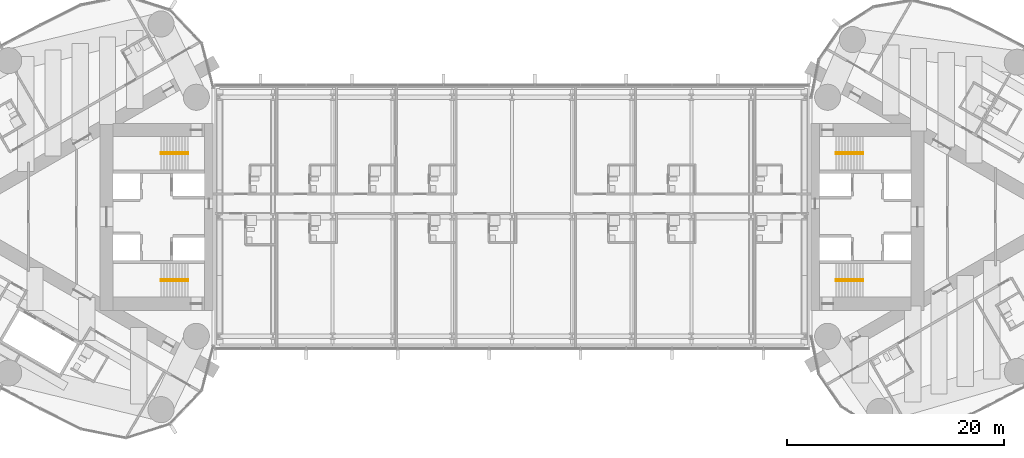
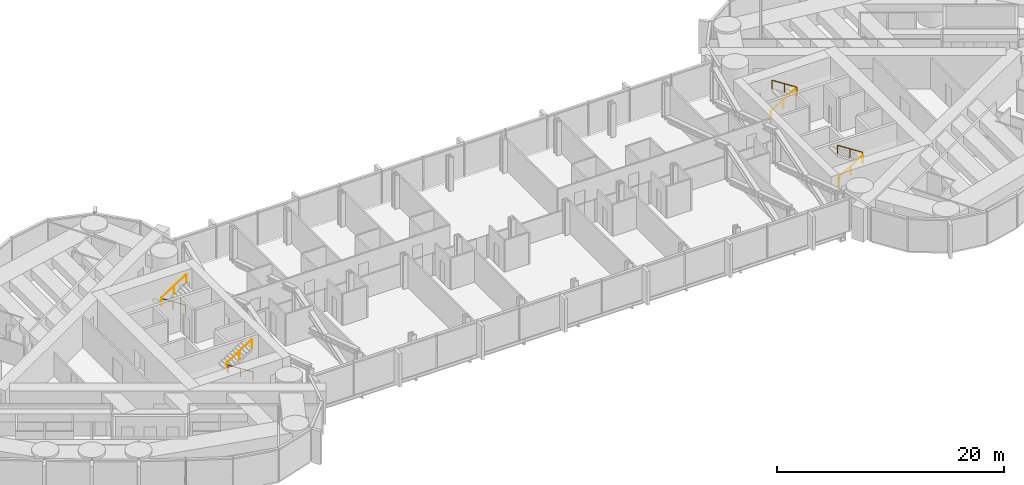
# One storey, part 21 of 22: 8 railings.
"""IFC4 building model written with IfcOpenShell, lengths in metres."""

from ifc_helpers import new_model, si_unit, direction, frame, origin, origin_2d, place, context, subcontext, project, spatial, circle, extrude, material, type_object, element, save


model = new_model("IFC4")

# Units and contexts
model_context = context("Model", 3, precision=1e-05, world=origin(), true_north=direction((0.0, 1.0)))
body_context = subcontext(model_context, "Body", "Model", "MODEL_VIEW")
ifc_project = project(units=[si_unit("LENGTHUNIT", "METRE"), si_unit("AREAUNIT", "SQUARE_METRE"), si_unit("VOLUMEUNIT", "CUBIC_METRE"), si_unit("PLANEANGLEUNIT", "RADIAN"), si_unit("MASSUNIT", "GRAM", prefix="KILO")], contexts=[model_context])

# Site, building, storey
site_placement = place(None, origin())
site = spatial("IfcSite", under=ifc_project, at=site_placement, CompositionType="ELEMENT")
building_placement = place(site_placement, origin())
building = spatial("IfcBuilding", under=site, at=building_placement, Name="Lancet Gate Hotel", CompositionType="ELEMENT")
storey_placement = place(building_placement, frame((0.0, 0.0, 226.10009765625)))
storey = spatial("IfcBuildingStorey", under=building, at=storey_placement, Name="L60", CompositionType="ELEMENT", Elevation=226.10009765625)

# Railings
ifc_material = material(Name="Stainless steel handrail", Category="steel")
railing_type = type_object("IfcRailingType", Name="Stair handrail 900", PredefinedType="HANDRAIL", material=ifc_material)
railing_1_placement = place(storey_placement, frame((-29.800048828125, 5.929931640625, 0.179931640625)))
element("IfcRailing", 1, at=railing_1_placement, inside=storey, type_object=railing_type, Name="ST1 handrail flight 1 L60", PredefinedType="HANDRAIL", context=body_context, shape_type="SweptSolid", body=[
    extrude(circle(Radius=0.02392578125, at=origin_2d()), frame((0.0, 0.0, 0.8759765625), z_axis=(-0.841199657755, 0.0, 0.540724639528), x_axis=(0.0, -1.0, 0.0)), (0.0, 0.0, 1.0), 2.995849609375),
    extrude(circle(Radius=0.02099609375, at=origin_2d()), origin(), (0.0, 0.0, 1.0), 0.851806640625),
    extrude(circle(Radius=0.02099609375, at=origin_2d()), frame((-1.260009765625, 0.0, 0.81005859375)), (0.0, 0.0, 1.0), 0.851806640625),
    extrude(circle(Radius=0.02099609375, at=origin_2d()), frame((-2.52001953125, 0.0, 1.619873046875)), (0.0, 0.0, 1.0), 0.851806640625),
])
railing_2_placement = place(storey_placement, frame((-32.320068359375, 5.77001953125, 1.97998046875)))
element("IfcRailing", 2, at=railing_2_placement, inside=storey, type_object=railing_type, Name="ST1 handrail flight 2 L60", PredefinedType="HANDRAIL", context=body_context, shape_type="SweptSolid", body=[
    extrude(circle(Radius=0.02392578125, at=origin_2d()), frame((0.0, 0.0, 0.8759765625), z_axis=(0.841199657755, 0.0, 0.540724639528), x_axis=(0.0, 1.0, 0.0)), (0.0, 0.0, 1.0), 2.995849609375),
    extrude(circle(Radius=0.02099609375, at=origin_2d()), origin(), (0.0, 0.0, 1.0), 0.851806640625),
    extrude(circle(Radius=0.02099609375, at=origin_2d()), frame((1.260009765625, 0.0, 0.81005859375)), (0.0, 0.0, 1.0), 0.851806640625),
    extrude(circle(Radius=0.02099609375, at=origin_2d()), frame((2.52001953125, 0.0, 1.619873046875)), (0.0, 0.0, 1.0), 0.851806640625),
])
railing_3_placement = place(storey_placement, frame((-29.800048828125, -5.929931640625, 0.179931640625)))
element("IfcRailing", 3, at=railing_3_placement, inside=storey, type_object=railing_type, Name="ST2 handrail flight 1 L60", PredefinedType="HANDRAIL", context=body_context, shape_type="SweptSolid", body=[
    extrude(circle(Radius=0.02392578125, at=origin_2d()), frame((0.0, 0.0, 0.8759765625), z_axis=(-0.841199657755, 0.0, 0.540724639528), x_axis=(0.0, -1.0, 0.0)), (0.0, 0.0, 1.0), 2.995849609375),
    extrude(circle(Radius=0.02099609375, at=origin_2d()), origin(), (0.0, 0.0, 1.0), 0.851806640625),
    extrude(circle(Radius=0.02099609375, at=origin_2d()), frame((-1.260009765625, 0.0, 0.81005859375)), (0.0, 0.0, 1.0), 0.851806640625),
    extrude(circle(Radius=0.02099609375, at=origin_2d()), frame((-2.52001953125, 0.0, 1.619873046875)), (0.0, 0.0, 1.0), 0.851806640625),
])
for number, where, name in (
    (4, (-32.320068359375, -5.77001953125, 1.97998046875), "ST2 handrail flight 2 L60"),
    (5, (29.800048828125, -5.929931640625, 0.179931640625), "ST3 handrail flight 1 L60"),
):
    element("IfcRailing", number, at=place(storey_placement, frame(where)), inside=storey, type_object=railing_type, Name=name, PredefinedType="HANDRAIL", context=body_context, shape_type="SweptSolid", body=[
        extrude(circle(Radius=0.02392578125, at=origin_2d()), frame((0.0, 0.0, 0.8759765625), z_axis=(0.841199657755, 0.0, 0.540724639528), x_axis=(0.0, 1.0, 0.0)), (0.0, 0.0, 1.0), 2.995849609375),
        extrude(circle(Radius=0.02099609375, at=origin_2d()), origin(), (0.0, 0.0, 1.0), 0.851806640625),
        extrude(circle(Radius=0.02099609375, at=origin_2d()), frame((1.260009765625, 0.0, 0.81005859375)), (0.0, 0.0, 1.0), 0.851806640625),
        extrude(circle(Radius=0.02099609375, at=origin_2d()), frame((2.52001953125, 0.0, 1.619873046875)), (0.0, 0.0, 1.0), 0.851806640625),
    ])
railing_4_placement = place(storey_placement, frame((32.320068359375, -5.77001953125, 1.97998046875)))
element("IfcRailing", 6, at=railing_4_placement, inside=storey, type_object=railing_type, Name="ST3 handrail flight 2 L60", PredefinedType="HANDRAIL", context=body_context, shape_type="SweptSolid", body=[
    extrude(circle(Radius=0.02392578125, at=origin_2d()), frame((0.0, 0.0, 0.8759765625), z_axis=(-0.841199657755, 0.0, 0.540724639528), x_axis=(0.0, -1.0, 0.0)), (0.0, 0.0, 1.0), 2.995849609375),
    extrude(circle(Radius=0.02099609375, at=origin_2d()), origin(), (0.0, 0.0, 1.0), 0.851806640625),
    extrude(circle(Radius=0.02099609375, at=origin_2d()), frame((-1.260009765625, 0.0, 0.81005859375)), (0.0, 0.0, 1.0), 0.851806640625),
    extrude(circle(Radius=0.02099609375, at=origin_2d()), frame((-2.52001953125, 0.0, 1.619873046875)), (0.0, 0.0, 1.0), 0.851806640625),
])
railing_5_placement = place(storey_placement, frame((29.800048828125, 5.929931640625, 0.179931640625)))
element("IfcRailing", 7, at=railing_5_placement, inside=storey, type_object=railing_type, Name="ST4 handrail flight 1 L60", PredefinedType="HANDRAIL", context=body_context, shape_type="SweptSolid", body=[
    extrude(circle(Radius=0.02392578125, at=origin_2d()), frame((0.0, 0.0, 0.8759765625), z_axis=(0.841199657755, 0.0, 0.540724639528), x_axis=(0.0, 1.0, 0.0)), (0.0, 0.0, 1.0), 2.995849609375),
    extrude(circle(Radius=0.02099609375, at=origin_2d()), origin(), (0.0, 0.0, 1.0), 0.851806640625),
    extrude(circle(Radius=0.02099609375, at=origin_2d()), frame((1.260009765625, 0.0, 0.81005859375)), (0.0, 0.0, 1.0), 0.851806640625),
    extrude(circle(Radius=0.02099609375, at=origin_2d()), frame((2.52001953125, 0.0, 1.619873046875)), (0.0, 0.0, 1.0), 0.851806640625),
])
railing_6_placement = place(storey_placement, frame((32.320068359375, 5.77001953125, 1.97998046875)))
element("IfcRailing", 8, at=railing_6_placement, inside=storey, type_object=railing_type, Name="ST4 handrail flight 2 L60", PredefinedType="HANDRAIL", context=body_context, shape_type="SweptSolid", body=[
    extrude(circle(Radius=0.02392578125, at=origin_2d()), frame((0.0, 0.0, 0.8759765625), z_axis=(-0.841199657755, 0.0, 0.540724639528), x_axis=(0.0, -1.0, 0.0)), (0.0, 0.0, 1.0), 2.995849609375),
    extrude(circle(Radius=0.02099609375, at=origin_2d()), origin(), (0.0, 0.0, 1.0), 0.851806640625),
    extrude(circle(Radius=0.02099609375, at=origin_2d()), frame((-1.260009765625, 0.0, 0.81005859375)), (0.0, 0.0, 1.0), 0.851806640625),
    extrude(circle(Radius=0.02099609375, at=origin_2d()), frame((-2.52001953125, 0.0, 1.619873046875)), (0.0, 0.0, 1.0), 0.851806640625),
])

save(model, "model.ifc")
